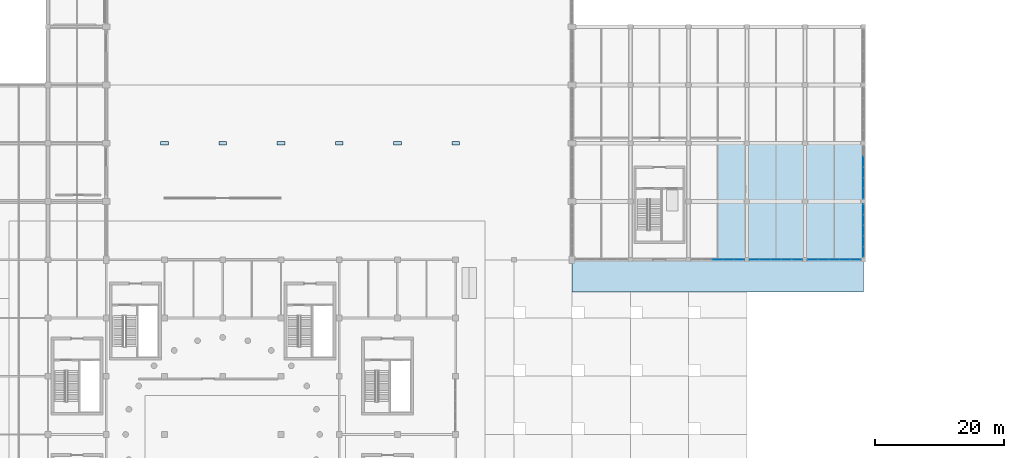
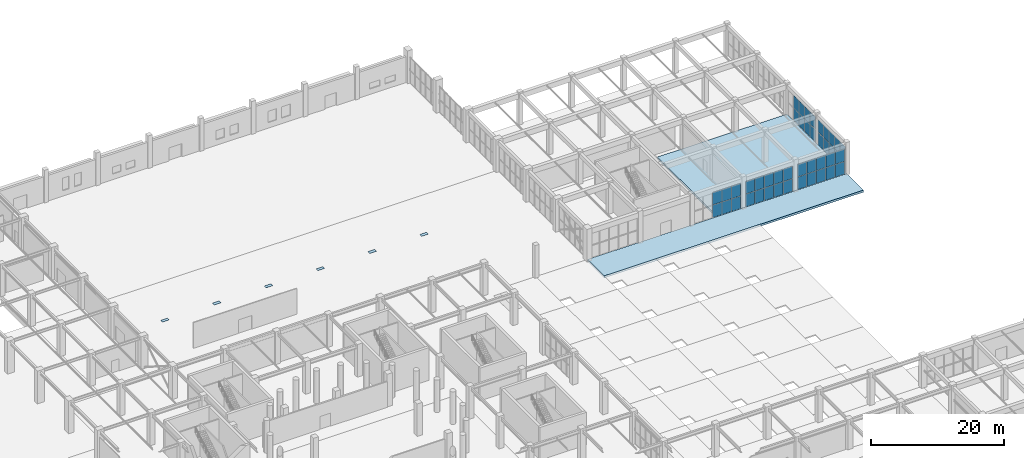
# One storey, part 57 of 91: 50 plates, 2 slabs, 5 elements without a shape of their own.
"""IFC4 building model written with IfcOpenShell, lengths in metres."""

from ifc_helpers import new_model, si_unit, direction, frame, origin, origin_2d, place, context, subcontext, project, spatial, polyline, rectangle, outline, extrude, material, layer, layer_set, type_object, element, aggregate, save


model = new_model("IFC4")

# Units and contexts
model_context = context("Model", 3, precision=1e-05, world=origin(), true_north=direction((0.0, 1.0)))
body_context = subcontext(model_context, "Body", "Model", "MODEL_VIEW")
ifc_project = project(units=[si_unit("LENGTHUNIT", "METRE"), si_unit("AREAUNIT", "SQUARE_METRE"), si_unit("VOLUMEUNIT", "CUBIC_METRE"), si_unit("PLANEANGLEUNIT", "RADIAN"), si_unit("MASSUNIT", "GRAM", prefix="KILO")], contexts=[model_context])

# Site, building, storey
site_placement = place(None, origin())
site = spatial("IfcSite", under=ifc_project, at=site_placement, CompositionType="ELEMENT")
building_placement = place(site_placement, origin())
building = spatial("IfcBuilding", under=site, at=building_placement, Name="Dornveld Trade and Exhibition Forum", CompositionType="ELEMENT")
storey_placement = place(building_placement, origin())
storey = spatial("IfcBuildingStorey", under=building, at=storey_placement, Name="L00", CompositionType="ELEMENT", Elevation=0.0)

# Curtain wall, plates
ifc_material_1 = material(Name="Dark-bronze anodised aluminium and low-E glass", Category="aluminium")
ifc_layer_1 = layer(ifc_material_1, 0.1630859375)
ifc_layer_set_1 = layer_set([ifc_layer_1], Name="Dark-bronze anodised aluminium and low-E glass")
curtain_wall_type_1 = type_object("IfcCurtainWallType", Name="CW-SYS-07", PredefinedType="USERDEFINED", material=ifc_layer_set_1)
curtain_wall_1_placement = place(storey_placement, origin())
curtain_wall_1 = element("IfcCurtainWall", 1, at=curtain_wall_1_placement, inside=storey, type_object=curtain_wall_type_1, Name="L00 unitised curtain wall 97", ObjectType="UNITISED_CURTAIN_WALL", PredefinedType="USERDEFINED")
ifc_material_2 = material(Name="Double-glazed low-E solar control glass", Category="glass")
ifc_layer_2 = layer(ifc_material_2, 0.02587890625)
ifc_layer_set_2 = layer_set([ifc_layer_2], Name="Double-glazed low-E solar control glass")
plate_type_1 = type_object("IfcPlateType", Name="CW-PNL-01", PredefinedType="CURTAIN_PANEL", material=ifc_layer_set_2)
plate_1_placement = place(storey_placement, frame((193.5, 108.0, 0.055908203125), z_axis=(0.0, 0.0, 1.0), x_axis=(1.0, 0.0, 0.0)))
plate_1 = element("IfcPlate", 2, at=plate_1_placement, type_object=plate_type_1, Name="CW-07 panel 3.1", PredefinedType="CURTAIN_PANEL", context=body_context, shape_type="SweptSolid", body=[
    extrude(rectangle(XDim=1.591552734375, YDim=0.02587890625, at=origin_2d()), origin(), (0.0, 0.0, 1.0), 2.2919921875),
])
plate_2_placement = place(storey_placement, frame((193.5, 108.0, 2.407958984375), z_axis=(0.0, 0.0, 1.0), x_axis=(1.0, 0.0, 0.0)))
plate_2 = element("IfcPlate", 3, at=plate_2_placement, type_object=plate_type_1, Name="CW-07 panel 3.2", PredefinedType="CURTAIN_PANEL", context=body_context, shape_type="SweptSolid", body=[
    extrude(rectangle(XDim=1.591552734375, YDim=0.02587890625, at=origin_2d()), origin(), (0.0, 0.0, 1.0), 2.2919921875),
])
plate_3_placement = place(storey_placement, frame((195.151611328125, 108.0, 0.055908203125), z_axis=(0.0, 0.0, 1.0), x_axis=(1.0, 0.0, 0.0)))
plate_3 = element("IfcPlate", 4, at=plate_3_placement, type_object=plate_type_1, Name="CW-07 panel 4.1", PredefinedType="CURTAIN_PANEL", context=body_context, shape_type="SweptSolid", body=[
    extrude(rectangle(XDim=1.591552734375, YDim=0.02587890625, at=origin_2d()), origin(), (0.0, 0.0, 1.0), 2.2919921875),
])
plate_4_placement = place(storey_placement, frame((195.151611328125, 108.0, 2.407958984375), z_axis=(0.0, 0.0, 1.0), x_axis=(1.0, 0.0, 0.0)))
plate_4 = element("IfcPlate", 5, at=plate_4_placement, type_object=plate_type_1, Name="CW-07 panel 4.2", PredefinedType="CURTAIN_PANEL", context=body_context, shape_type="SweptSolid", body=[
    extrude(rectangle(XDim=1.591552734375, YDim=0.02587890625, at=origin_2d()), origin(), (0.0, 0.0, 1.0), 2.2919921875),
])
plate_5_placement = place(storey_placement, frame((196.7880859375, 108.0, 0.055908203125), z_axis=(0.0, 0.0, 1.0), x_axis=(1.0, 0.0, 0.0)))
plate_5 = element("IfcPlate", 6, at=plate_5_placement, type_object=plate_type_1, Name="CW-07 panel 5.1", PredefinedType="CURTAIN_PANEL", context=body_context, shape_type="SweptSolid", body=[
    extrude(rectangle(XDim=1.5615234375, YDim=0.02587890625, at=origin_2d()), origin(), (0.0, 0.0, 1.0), 2.2919921875),
])
plate_6_placement = place(storey_placement, frame((196.7880859375, 108.0, 2.407958984375), z_axis=(0.0, 0.0, 1.0), x_axis=(1.0, 0.0, 0.0)))
plate_6 = element("IfcPlate", 7, at=plate_6_placement, type_object=plate_type_1, Name="CW-07 panel 5.2", PredefinedType="CURTAIN_PANEL", context=body_context, shape_type="SweptSolid", body=[
    extrude(rectangle(XDim=1.5615234375, YDim=0.02587890625, at=origin_2d()), origin(), (0.0, 0.0, 1.0), 2.2919921875),
])
aggregate(curtain_wall_1, [plate_1, plate_2, plate_3, plate_4, plate_5, plate_6])

ifc_material_3 = material(Name="Dark-bronze anodised aluminium and low-E glass", Category="aluminium")
ifc_layer_3 = layer(ifc_material_3, 0.166015625)
ifc_layer_set_3 = layer_set([ifc_layer_3], Name="Dark-bronze anodised aluminium and low-E glass")
curtain_wall_type_2 = type_object("IfcCurtainWallType", Name="CW-SYS-08", PredefinedType="USERDEFINED", material=ifc_layer_set_3)
curtain_wall_2_placement = place(storey_placement, origin())
curtain_wall_2 = element("IfcCurtainWall", 8, at=curtain_wall_2_placement, inside=storey, type_object=curtain_wall_type_2, Name="L00 unitised curtain wall 98", ObjectType="UNITISED_CURTAIN_WALL", PredefinedType="USERDEFINED")
ifc_material_4 = material(Name="Double-glazed low-E solar control glass", Category="glass")
ifc_layer_4 = layer(ifc_material_4, 0.028076171875)
ifc_layer_set_4 = layer_set([ifc_layer_4], Name="Double-glazed low-E solar control glass")
plate_type_2 = type_object("IfcPlateType", Name="CW-PNL-02", PredefinedType="CURTAIN_PANEL", material=ifc_layer_set_4)
plate_7_placement = place(storey_placement, frame((199.2119140625, 108.0, 0.055908203125), z_axis=(0.0, 0.0, 1.0), x_axis=(1.0, 0.0, 0.0)))
plate_7 = element("IfcPlate", 9, at=plate_7_placement, type_object=plate_type_2, Name="CW-08 panel 1.1", PredefinedType="CURTAIN_PANEL", context=body_context, shape_type="SweptSolid", body=[
    extrude(rectangle(XDim=1.5615234375, YDim=0.028076171875, at=origin_2d()), origin(), (0.0, 0.0, 1.0), 2.2919921875),
])
plate_8_placement = place(storey_placement, frame((199.2119140625, 108.0, 2.407958984375), z_axis=(0.0, 0.0, 1.0), x_axis=(1.0, 0.0, 0.0)))
plate_8 = element("IfcPlate", 10, at=plate_8_placement, type_object=plate_type_2, Name="CW-08 panel 1.2", PredefinedType="CURTAIN_PANEL", context=body_context, shape_type="SweptSolid", body=[
    extrude(rectangle(XDim=1.5615234375, YDim=0.028076171875, at=origin_2d()), origin(), (0.0, 0.0, 1.0), 2.2919921875),
])
plate_9_placement = place(storey_placement, frame((200.848388671875, 108.0, 0.055908203125), z_axis=(0.0, 0.0, 1.0), x_axis=(1.0, 0.0, 0.0)))
plate_9 = element("IfcPlate", 11, at=plate_9_placement, type_object=plate_type_2, Name="CW-08 panel 2.1", PredefinedType="CURTAIN_PANEL", context=body_context, shape_type="SweptSolid", body=[
    extrude(rectangle(XDim=1.591552734375, YDim=0.028076171875, at=origin_2d()), origin(), (0.0, 0.0, 1.0), 2.2919921875),
])
plate_10_placement = place(storey_placement, frame((200.848388671875, 108.0, 2.407958984375), z_axis=(0.0, 0.0, 1.0), x_axis=(1.0, 0.0, 0.0)))
plate_10 = element("IfcPlate", 12, at=plate_10_placement, type_object=plate_type_2, Name="CW-08 panel 2.2", PredefinedType="CURTAIN_PANEL", context=body_context, shape_type="SweptSolid", body=[
    extrude(rectangle(XDim=1.591552734375, YDim=0.028076171875, at=origin_2d()), origin(), (0.0, 0.0, 1.0), 2.2919921875),
])
plate_11_placement = place(storey_placement, frame((202.5, 108.0, 0.055908203125), z_axis=(0.0, 0.0, 1.0), x_axis=(1.0, 0.0, 0.0)))
plate_11 = element("IfcPlate", 13, at=plate_11_placement, type_object=plate_type_2, Name="CW-08 panel 3.1", PredefinedType="CURTAIN_PANEL", context=body_context, shape_type="SweptSolid", body=[
    extrude(rectangle(XDim=1.591552734375, YDim=0.028076171875, at=origin_2d()), origin(), (0.0, 0.0, 1.0), 2.2919921875),
])
plate_12_placement = place(storey_placement, frame((202.5, 108.0, 2.407958984375), z_axis=(0.0, 0.0, 1.0), x_axis=(1.0, 0.0, 0.0)))
plate_12 = element("IfcPlate", 14, at=plate_12_placement, type_object=plate_type_2, Name="CW-08 panel 3.2", PredefinedType="CURTAIN_PANEL", context=body_context, shape_type="SweptSolid", body=[
    extrude(rectangle(XDim=1.591552734375, YDim=0.028076171875, at=origin_2d()), origin(), (0.0, 0.0, 1.0), 2.2919921875),
])
plate_13_placement = place(storey_placement, frame((204.151611328125, 108.0, 0.055908203125), z_axis=(0.0, 0.0, 1.0), x_axis=(1.0, 0.0, 0.0)))
plate_13 = element("IfcPlate", 15, at=plate_13_placement, type_object=plate_type_2, Name="CW-08 panel 4.1", PredefinedType="CURTAIN_PANEL", context=body_context, shape_type="SweptSolid", body=[
    extrude(rectangle(XDim=1.591552734375, YDim=0.028076171875, at=origin_2d()), origin(), (0.0, 0.0, 1.0), 2.2919921875),
])
plate_14_placement = place(storey_placement, frame((204.151611328125, 108.0, 2.407958984375), z_axis=(0.0, 0.0, 1.0), x_axis=(1.0, 0.0, 0.0)))
plate_14 = element("IfcPlate", 16, at=plate_14_placement, type_object=plate_type_2, Name="CW-08 panel 4.2", PredefinedType="CURTAIN_PANEL", context=body_context, shape_type="SweptSolid", body=[
    extrude(rectangle(XDim=1.591552734375, YDim=0.028076171875, at=origin_2d()), origin(), (0.0, 0.0, 1.0), 2.2919921875),
])
plate_15_placement = place(storey_placement, frame((205.7880859375, 108.0, 0.055908203125), z_axis=(0.0, 0.0, 1.0), x_axis=(1.0, 0.0, 0.0)))
plate_15 = element("IfcPlate", 17, at=plate_15_placement, type_object=plate_type_2, Name="CW-08 panel 5.1", PredefinedType="CURTAIN_PANEL", context=body_context, shape_type="SweptSolid", body=[
    extrude(rectangle(XDim=1.5615234375, YDim=0.028076171875, at=origin_2d()), origin(), (0.0, 0.0, 1.0), 2.2919921875),
])
plate_16_placement = place(storey_placement, frame((205.7880859375, 108.0, 2.407958984375), z_axis=(0.0, 0.0, 1.0), x_axis=(1.0, 0.0, 0.0)))
plate_16 = element("IfcPlate", 18, at=plate_16_placement, type_object=plate_type_2, Name="CW-08 panel 5.2", PredefinedType="CURTAIN_PANEL", context=body_context, shape_type="SweptSolid", body=[
    extrude(rectangle(XDim=1.5615234375, YDim=0.028076171875, at=origin_2d()), origin(), (0.0, 0.0, 1.0), 2.2919921875),
])
aggregate(curtain_wall_2, [plate_7, plate_8, plate_9, plate_10, plate_11, plate_12, plate_13, plate_14, plate_15, plate_16])

ifc_material_5 = material(Name="Dark-bronze anodised aluminium and low-E glass", Category="aluminium")
ifc_layer_5 = layer(ifc_material_5, 0.1689453125)
ifc_layer_set_5 = layer_set([ifc_layer_5], Name="Dark-bronze anodised aluminium and low-E glass")
curtain_wall_type_3 = type_object("IfcCurtainWallType", Name="CW-SYS-09", PredefinedType="USERDEFINED", material=ifc_layer_set_5)
curtain_wall_3_placement = place(storey_placement, origin())
curtain_wall_3 = element("IfcCurtainWall", 19, at=curtain_wall_3_placement, inside=storey, type_object=curtain_wall_type_3, Name="L00 unitised curtain wall 99", ObjectType="UNITISED_CURTAIN_WALL", PredefinedType="USERDEFINED")
ifc_material_6 = material(Name="Double-glazed low-E solar control glass", Category="glass")
ifc_layer_6 = layer(ifc_material_6, 0.030029296875)
ifc_layer_set_6 = layer_set([ifc_layer_6], Name="Double-glazed low-E solar control glass")
plate_type_3 = type_object("IfcPlateType", Name="CW-PNL-03", PredefinedType="CURTAIN_PANEL", material=ifc_layer_set_6)
plate_17_placement = place(storey_placement, frame((208.2119140625, 108.0, 0.055908203125), z_axis=(0.0, 0.0, 1.0), x_axis=(1.0, 0.0, 0.0)))
plate_17 = element("IfcPlate", 20, at=plate_17_placement, type_object=plate_type_3, Name="CW-09 panel 1.1", PredefinedType="CURTAIN_PANEL", context=body_context, shape_type="SweptSolid", body=[
    extrude(rectangle(XDim=1.5615234375, YDim=0.030029296875, at=origin_2d()), origin(), (0.0, 0.0, 1.0), 2.2919921875),
])
plate_18_placement = place(storey_placement, frame((208.2119140625, 108.0, 2.407958984375), z_axis=(0.0, 0.0, 1.0), x_axis=(1.0, 0.0, 0.0)))
plate_18 = element("IfcPlate", 21, at=plate_18_placement, type_object=plate_type_3, Name="CW-09 panel 1.2", PredefinedType="CURTAIN_PANEL", context=body_context, shape_type="SweptSolid", body=[
    extrude(rectangle(XDim=1.5615234375, YDim=0.030029296875, at=origin_2d()), origin(), (0.0, 0.0, 1.0), 2.2919921875),
])
plate_19_placement = place(storey_placement, frame((209.848388671875, 108.0, 0.055908203125), z_axis=(0.0, 0.0, 1.0), x_axis=(1.0, 0.0, 0.0)))
plate_19 = element("IfcPlate", 22, at=plate_19_placement, type_object=plate_type_3, Name="CW-09 panel 2.1", PredefinedType="CURTAIN_PANEL", context=body_context, shape_type="SweptSolid", body=[
    extrude(rectangle(XDim=1.591552734375, YDim=0.030029296875, at=origin_2d()), origin(), (0.0, 0.0, 1.0), 2.2919921875),
])
plate_20_placement = place(storey_placement, frame((209.848388671875, 108.0, 2.407958984375), z_axis=(0.0, 0.0, 1.0), x_axis=(1.0, 0.0, 0.0)))
plate_20 = element("IfcPlate", 23, at=plate_20_placement, type_object=plate_type_3, Name="CW-09 panel 2.2", PredefinedType="CURTAIN_PANEL", context=body_context, shape_type="SweptSolid", body=[
    extrude(rectangle(XDim=1.591552734375, YDim=0.030029296875, at=origin_2d()), origin(), (0.0, 0.0, 1.0), 2.2919921875),
])
plate_21_placement = place(storey_placement, frame((211.5, 108.0, 0.055908203125), z_axis=(0.0, 0.0, 1.0), x_axis=(1.0, 0.0, 0.0)))
plate_21 = element("IfcPlate", 24, at=plate_21_placement, type_object=plate_type_3, Name="CW-09 panel 3.1", PredefinedType="CURTAIN_PANEL", context=body_context, shape_type="SweptSolid", body=[
    extrude(rectangle(XDim=1.591552734375, YDim=0.030029296875, at=origin_2d()), origin(), (0.0, 0.0, 1.0), 2.2919921875),
])
plate_22_placement = place(storey_placement, frame((211.5, 108.0, 2.407958984375), z_axis=(0.0, 0.0, 1.0), x_axis=(1.0, 0.0, 0.0)))
plate_22 = element("IfcPlate", 25, at=plate_22_placement, type_object=plate_type_3, Name="CW-09 panel 3.2", PredefinedType="CURTAIN_PANEL", context=body_context, shape_type="SweptSolid", body=[
    extrude(rectangle(XDim=1.591552734375, YDim=0.030029296875, at=origin_2d()), origin(), (0.0, 0.0, 1.0), 2.2919921875),
])
plate_23_placement = place(storey_placement, frame((213.151611328125, 108.0, 0.055908203125), z_axis=(0.0, 0.0, 1.0), x_axis=(1.0, 0.0, 0.0)))
plate_23 = element("IfcPlate", 26, at=plate_23_placement, type_object=plate_type_3, Name="CW-09 panel 4.1", PredefinedType="CURTAIN_PANEL", context=body_context, shape_type="SweptSolid", body=[
    extrude(rectangle(XDim=1.591552734375, YDim=0.030029296875, at=origin_2d()), origin(), (0.0, 0.0, 1.0), 2.2919921875),
])
plate_24_placement = place(storey_placement, frame((213.151611328125, 108.0, 2.407958984375), z_axis=(0.0, 0.0, 1.0), x_axis=(1.0, 0.0, 0.0)))
plate_24 = element("IfcPlate", 27, at=plate_24_placement, type_object=plate_type_3, Name="CW-09 panel 4.2", PredefinedType="CURTAIN_PANEL", context=body_context, shape_type="SweptSolid", body=[
    extrude(rectangle(XDim=1.591552734375, YDim=0.030029296875, at=origin_2d()), origin(), (0.0, 0.0, 1.0), 2.2919921875),
])
plate_25_placement = place(storey_placement, frame((214.7880859375, 108.0, 0.055908203125), z_axis=(0.0, 0.0, 1.0), x_axis=(1.0, 0.0, 0.0)))
plate_25 = element("IfcPlate", 28, at=plate_25_placement, type_object=plate_type_3, Name="CW-09 panel 5.1", PredefinedType="CURTAIN_PANEL", context=body_context, shape_type="SweptSolid", body=[
    extrude(rectangle(XDim=1.5615234375, YDim=0.030029296875, at=origin_2d()), origin(), (0.0, 0.0, 1.0), 2.2919921875),
])
plate_26_placement = place(storey_placement, frame((214.7880859375, 108.0, 2.407958984375), z_axis=(0.0, 0.0, 1.0), x_axis=(1.0, 0.0, 0.0)))
plate_26 = element("IfcPlate", 29, at=plate_26_placement, type_object=plate_type_3, Name="CW-09 panel 5.2", PredefinedType="CURTAIN_PANEL", context=body_context, shape_type="SweptSolid", body=[
    extrude(rectangle(XDim=1.5615234375, YDim=0.030029296875, at=origin_2d()), origin(), (0.0, 0.0, 1.0), 2.2919921875),
])
aggregate(curtain_wall_3, [plate_17, plate_18, plate_19, plate_20, plate_21, plate_22, plate_23, plate_24, plate_25, plate_26])

ifc_material_7 = material(Name="Dark-bronze anodised aluminium and low-E glass", Category="aluminium")
ifc_layer_7 = layer(ifc_material_7, 0.172119140625)
ifc_layer_set_7 = layer_set([ifc_layer_7], Name="Dark-bronze anodised aluminium and low-E glass")
curtain_wall_type_4 = type_object("IfcCurtainWallType", Name="CW-SYS-10", PredefinedType="USERDEFINED", material=ifc_layer_set_7)
curtain_wall_4_placement = place(storey_placement, origin())
curtain_wall_4 = element("IfcCurtainWall", 30, at=curtain_wall_4_placement, inside=storey, type_object=curtain_wall_type_4, Name="L00 unitised curtain wall 100", ObjectType="UNITISED_CURTAIN_WALL", PredefinedType="USERDEFINED")
ifc_material_8 = material(Name="Double-glazed low-E solar control glass", Category="glass")
ifc_layer_8 = layer(ifc_material_8, 0.031982421875)
ifc_layer_set_8 = layer_set([ifc_layer_8], Name="Double-glazed low-E solar control glass")
plate_type_4 = type_object("IfcPlateType", Name="CW-PNL-04", PredefinedType="CURTAIN_PANEL", material=ifc_layer_set_8)
plate_27_placement = place(storey_placement, frame((216.0, 109.2119140625, 0.055908203125), z_axis=(0.0, 0.0, 1.0), x_axis=(0.0, 1.0, 0.0)))
plate_27 = element("IfcPlate", 31, at=plate_27_placement, type_object=plate_type_4, Name="CW-10 panel 1.1", PredefinedType="CURTAIN_PANEL", context=body_context, shape_type="SweptSolid", body=[
    extrude(rectangle(XDim=1.5615234375, YDim=0.031982421875, at=origin_2d()), origin(), (0.0, 0.0, 1.0), 2.2919921875),
])
plate_28_placement = place(storey_placement, frame((216.0, 109.2119140625, 2.407958984375), z_axis=(0.0, 0.0, 1.0), x_axis=(0.0, 1.0, 0.0)))
plate_28 = element("IfcPlate", 32, at=plate_28_placement, type_object=plate_type_4, Name="CW-10 panel 1.2", PredefinedType="CURTAIN_PANEL", context=body_context, shape_type="SweptSolid", body=[
    extrude(rectangle(XDim=1.5615234375, YDim=0.031982421875, at=origin_2d()), origin(), (0.0, 0.0, 1.0), 2.2919921875),
])
plate_29_placement = place(storey_placement, frame((216.0, 110.848388671875, 0.055908203125), z_axis=(0.0, 0.0, 1.0), x_axis=(0.0, 1.0, 0.0)))
plate_29 = element("IfcPlate", 33, at=plate_29_placement, type_object=plate_type_4, Name="CW-10 panel 2.1", PredefinedType="CURTAIN_PANEL", context=body_context, shape_type="SweptSolid", body=[
    extrude(rectangle(XDim=1.591552734375, YDim=0.031982421875, at=origin_2d()), origin(), (0.0, 0.0, 1.0), 2.2919921875),
])
plate_30_placement = place(storey_placement, frame((216.0, 110.848388671875, 2.407958984375), z_axis=(0.0, 0.0, 1.0), x_axis=(0.0, 1.0, 0.0)))
plate_30 = element("IfcPlate", 34, at=plate_30_placement, type_object=plate_type_4, Name="CW-10 panel 2.2", PredefinedType="CURTAIN_PANEL", context=body_context, shape_type="SweptSolid", body=[
    extrude(rectangle(XDim=1.591552734375, YDim=0.031982421875, at=origin_2d()), origin(), (0.0, 0.0, 1.0), 2.2919921875),
])
plate_31_placement = place(storey_placement, frame((216.0, 112.5, 0.055908203125), z_axis=(0.0, 0.0, 1.0), x_axis=(0.0, 1.0, 0.0)))
plate_31 = element("IfcPlate", 35, at=plate_31_placement, type_object=plate_type_4, Name="CW-10 panel 3.1", PredefinedType="CURTAIN_PANEL", context=body_context, shape_type="SweptSolid", body=[
    extrude(rectangle(XDim=1.591552734375, YDim=0.031982421875, at=origin_2d()), origin(), (0.0, 0.0, 1.0), 2.2919921875),
])
plate_32_placement = place(storey_placement, frame((216.0, 112.5, 2.407958984375), z_axis=(0.0, 0.0, 1.0), x_axis=(0.0, 1.0, 0.0)))
plate_32 = element("IfcPlate", 36, at=plate_32_placement, type_object=plate_type_4, Name="CW-10 panel 3.2", PredefinedType="CURTAIN_PANEL", context=body_context, shape_type="SweptSolid", body=[
    extrude(rectangle(XDim=1.591552734375, YDim=0.031982421875, at=origin_2d()), origin(), (0.0, 0.0, 1.0), 2.2919921875),
])
plate_33_placement = place(storey_placement, frame((216.0, 114.151611328125, 0.055908203125), z_axis=(0.0, 0.0, 1.0), x_axis=(0.0, 1.0, 0.0)))
plate_33 = element("IfcPlate", 37, at=plate_33_placement, type_object=plate_type_4, Name="CW-10 panel 4.1", PredefinedType="CURTAIN_PANEL", context=body_context, shape_type="SweptSolid", body=[
    extrude(rectangle(XDim=1.591552734375, YDim=0.031982421875, at=origin_2d()), origin(), (0.0, 0.0, 1.0), 2.2919921875),
])
plate_34_placement = place(storey_placement, frame((216.0, 114.151611328125, 2.407958984375), z_axis=(0.0, 0.0, 1.0), x_axis=(0.0, 1.0, 0.0)))
plate_34 = element("IfcPlate", 38, at=plate_34_placement, type_object=plate_type_4, Name="CW-10 panel 4.2", PredefinedType="CURTAIN_PANEL", context=body_context, shape_type="SweptSolid", body=[
    extrude(rectangle(XDim=1.591552734375, YDim=0.031982421875, at=origin_2d()), origin(), (0.0, 0.0, 1.0), 2.2919921875),
])
plate_35_placement = place(storey_placement, frame((216.0, 115.7880859375, 0.055908203125), z_axis=(0.0, 0.0, 1.0), x_axis=(0.0, 1.0, 0.0)))
plate_35 = element("IfcPlate", 39, at=plate_35_placement, type_object=plate_type_4, Name="CW-10 panel 5.1", PredefinedType="CURTAIN_PANEL", context=body_context, shape_type="SweptSolid", body=[
    extrude(rectangle(XDim=1.5615234375, YDim=0.031982421875, at=origin_2d()), origin(), (0.0, 0.0, 1.0), 2.2919921875),
])
plate_36_placement = place(storey_placement, frame((216.0, 115.7880859375, 2.407958984375), z_axis=(0.0, 0.0, 1.0), x_axis=(0.0, 1.0, 0.0)))
plate_36 = element("IfcPlate", 40, at=plate_36_placement, type_object=plate_type_4, Name="CW-10 panel 5.2", PredefinedType="CURTAIN_PANEL", context=body_context, shape_type="SweptSolid", body=[
    extrude(rectangle(XDim=1.5615234375, YDim=0.031982421875, at=origin_2d()), origin(), (0.0, 0.0, 1.0), 2.2919921875),
])
aggregate(curtain_wall_4, [plate_27, plate_28, plate_29, plate_30, plate_31, plate_32, plate_33, plate_34, plate_35, plate_36])

ifc_material_9 = material(Name="Dark-bronze anodised aluminium and low-E glass", Category="aluminium")
ifc_layer_9 = layer(ifc_material_9, 0.175048828125)
ifc_layer_set_9 = layer_set([ifc_layer_9], Name="Dark-bronze anodised aluminium and low-E glass")
curtain_wall_type_5 = type_object("IfcCurtainWallType", Name="CW-SYS-11", PredefinedType="USERDEFINED", material=ifc_layer_set_9)
curtain_wall_5_placement = place(storey_placement, origin())
curtain_wall_5 = element("IfcCurtainWall", 41, at=curtain_wall_5_placement, inside=storey, type_object=curtain_wall_type_5, Name="L00 unitised curtain wall 101", ObjectType="UNITISED_CURTAIN_WALL", PredefinedType="USERDEFINED")
ifc_material_10 = material(Name="Double-glazed low-E solar control glass", Category="glass")
ifc_layer_10 = layer(ifc_material_10, 0.033935546875)
ifc_layer_set_10 = layer_set([ifc_layer_10], Name="Double-glazed low-E solar control glass")
plate_type_5 = type_object("IfcPlateType", Name="CW-PNL-05", PredefinedType="CURTAIN_PANEL", material=ifc_layer_set_10)
plate_37_placement = place(storey_placement, frame((216.0, 118.2119140625, 0.055908203125), z_axis=(0.0, 0.0, 1.0), x_axis=(0.0, 1.0, 0.0)))
plate_37 = element("IfcPlate", 42, at=plate_37_placement, type_object=plate_type_5, Name="CW-11 panel 1.1", PredefinedType="CURTAIN_PANEL", context=body_context, shape_type="SweptSolid", body=[
    extrude(rectangle(XDim=1.5615234375, YDim=0.033935546875, at=origin_2d()), origin(), (0.0, 0.0, 1.0), 2.2919921875),
])
plate_38_placement = place(storey_placement, frame((216.0, 118.2119140625, 2.407958984375), z_axis=(0.0, 0.0, 1.0), x_axis=(0.0, 1.0, 0.0)))
plate_38 = element("IfcPlate", 43, at=plate_38_placement, type_object=plate_type_5, Name="CW-11 panel 1.2", PredefinedType="CURTAIN_PANEL", context=body_context, shape_type="SweptSolid", body=[
    extrude(rectangle(XDim=1.5615234375, YDim=0.033935546875, at=origin_2d()), origin(), (0.0, 0.0, 1.0), 2.2919921875),
])
plate_39_placement = place(storey_placement, frame((216.0, 119.848388671875, 0.055908203125), z_axis=(0.0, 0.0, 1.0), x_axis=(0.0, 1.0, 0.0)))
plate_39 = element("IfcPlate", 44, at=plate_39_placement, type_object=plate_type_5, Name="CW-11 panel 2.1", PredefinedType="CURTAIN_PANEL", context=body_context, shape_type="SweptSolid", body=[
    extrude(rectangle(XDim=1.591552734375, YDim=0.033935546875, at=origin_2d()), origin(), (0.0, 0.0, 1.0), 2.2919921875),
])
plate_40_placement = place(storey_placement, frame((216.0, 119.848388671875, 2.407958984375), z_axis=(0.0, 0.0, 1.0), x_axis=(0.0, 1.0, 0.0)))
plate_40 = element("IfcPlate", 45, at=plate_40_placement, type_object=plate_type_5, Name="CW-11 panel 2.2", PredefinedType="CURTAIN_PANEL", context=body_context, shape_type="SweptSolid", body=[
    extrude(rectangle(XDim=1.591552734375, YDim=0.033935546875, at=origin_2d()), origin(), (0.0, 0.0, 1.0), 2.2919921875),
])
plate_41_placement = place(storey_placement, frame((216.0, 121.5, 0.055908203125), z_axis=(0.0, 0.0, 1.0), x_axis=(0.0, 1.0, 0.0)))
plate_41 = element("IfcPlate", 46, at=plate_41_placement, type_object=plate_type_5, Name="CW-11 panel 3.1", PredefinedType="CURTAIN_PANEL", context=body_context, shape_type="SweptSolid", body=[
    extrude(rectangle(XDim=1.591552734375, YDim=0.033935546875, at=origin_2d()), origin(), (0.0, 0.0, 1.0), 2.2919921875),
])
plate_42_placement = place(storey_placement, frame((216.0, 121.5, 2.407958984375), z_axis=(0.0, 0.0, 1.0), x_axis=(0.0, 1.0, 0.0)))
plate_42 = element("IfcPlate", 47, at=plate_42_placement, type_object=plate_type_5, Name="CW-11 panel 3.2", PredefinedType="CURTAIN_PANEL", context=body_context, shape_type="SweptSolid", body=[
    extrude(rectangle(XDim=1.591552734375, YDim=0.033935546875, at=origin_2d()), origin(), (0.0, 0.0, 1.0), 2.2919921875),
])
plate_43_placement = place(storey_placement, frame((216.0, 123.151611328125, 0.055908203125), z_axis=(0.0, 0.0, 1.0), x_axis=(0.0, 1.0, 0.0)))
plate_43 = element("IfcPlate", 48, at=plate_43_placement, type_object=plate_type_5, Name="CW-11 panel 4.1", PredefinedType="CURTAIN_PANEL", context=body_context, shape_type="SweptSolid", body=[
    extrude(rectangle(XDim=1.591552734375, YDim=0.033935546875, at=origin_2d()), origin(), (0.0, 0.0, 1.0), 2.2919921875),
])
plate_44_placement = place(storey_placement, frame((216.0, 123.151611328125, 2.407958984375), z_axis=(0.0, 0.0, 1.0), x_axis=(0.0, 1.0, 0.0)))
plate_44 = element("IfcPlate", 49, at=plate_44_placement, type_object=plate_type_5, Name="CW-11 panel 4.2", PredefinedType="CURTAIN_PANEL", context=body_context, shape_type="SweptSolid", body=[
    extrude(rectangle(XDim=1.591552734375, YDim=0.033935546875, at=origin_2d()), origin(), (0.0, 0.0, 1.0), 2.2919921875),
])
aggregate(curtain_wall_5, [plate_37, plate_38, plate_39, plate_40, plate_41, plate_42, plate_43, plate_44])

# Plates
ifc_material_11 = material(Name="Steel S355J2", Category="steel")
ifc_layer_11 = layer(ifc_material_11, 0.02392578125)
ifc_layer_set_11 = layer_set([ifc_layer_11], Name="Steel S355J2")
plate_type_6 = type_object("IfcPlateType", Name="PL-TRENCH-1200", PredefinedType="SHEET", material=ifc_layer_set_11)
for number, where, z_axis, x_axis, name in (
    (50, (108.0, 126.0, -0.02392578125), (0.0, 0.0, 1.0), (1.0, 0.0, 0.0), "Hall 1 heavy utility trench cover 1"),
    (51, (117.0, 126.0, -0.02392578125), (0.0, 0.0, 1.0), (1.0, 0.0, 0.0), "Hall 1 heavy utility trench cover 2"),
    (52, (126.0, 126.0, -0.02392578125), (0.0, 0.0, 1.0), (1.0, 0.0, 0.0), "Hall 1 heavy utility trench cover 3"),
    (53, (135.0, 126.0, -0.02392578125), (0.0, 0.0, 1.0), (1.0, 0.0, 0.0), "Hall 1 heavy utility trench cover 4"),
    (54, (144.0, 126.0, -0.02392578125), (0.0, 0.0, 1.0), (1.0, 0.0, 0.0), "Hall 1 heavy utility trench cover 5"),
    (55, (153.0, 126.0, -0.02392578125), (0.0, 0.0, 1.0), (1.0, 0.0, 0.0), "Hall 1 heavy utility trench cover 6"),
):
    element("IfcPlate", number, at=place(storey_placement, frame(where, z_axis=z_axis, x_axis=x_axis)), inside=storey, type_object=plate_type_6, Name=name, PredefinedType="SHEET", context=body_context, shape_type="SweptSolid", body=[
        extrude(rectangle(XDim=1.199951171875, YDim=0.550048828125, at=origin_2d()), origin(), (0.0, 0.0, 1.0), 0.02392578125),
    ])

# Slabs
ifc_material_12 = material(Name="Precast concrete C50/60", Category="concrete")
ifc_layer_12 = layer(ifc_material_12, 0.389892578125)
ifc_layer_set_12 = layer_set([ifc_layer_12], Name="Precast concrete C50/60")
slab_type_1 = type_object("IfcSlabType", Name="SL-EXT-07", PredefinedType="BASESLAB", material=ifc_layer_set_12)
slab_1_placement = place(storey_placement, frame((0.0, 0.0, -0.389892578125)))
element("IfcSlab", 56, at=slab_1_placement, inside=storey, type_object=slab_type_1, Name="L00 perimeter court paving PAV-CT2", PredefinedType="BASESLAB", context=body_context, shape_type="SweptSolid", body=[
    extrude(outline(polyline([(216.0, 103.0), (171.0, 103.0), (171.0, 107.998046875), (216.0, 107.998046875), (216.0, 103.0)])), origin(), (0.0, 0.0, 1.0), 0.389892578125),
])
ifc_material_13 = material(Name="Concrete C40/50", Category="concrete")
ifc_layer_13 = layer(ifc_material_13, 0.3798828125)
ifc_layer_set_13 = layer_set([ifc_layer_13], Name="Concrete C40/50")
slab_type_2 = type_object("IfcSlabType", Name="SL-HALL-380", PredefinedType="BASESLAB", material=ifc_layer_set_13)
slab_2_placement = place(storey_placement, frame((0.0, 0.0, -0.3798828125)))
element("IfcSlab", 57, at=slab_2_placement, inside=storey, type_object=slab_type_2, Name="L00 structural slab panel 28", PredefinedType="BASESLAB", context=body_context, shape_type="SweptSolid", body=[
    extrude(outline(polyline([(193.5, 108.0), (216.0, 108.0), (216.0, 126.0), (193.5, 126.0), (193.5, 108.0)])), origin(), (0.0, 0.0, 1.0), 0.3798828125),
])

save(model, "model.ifc")
